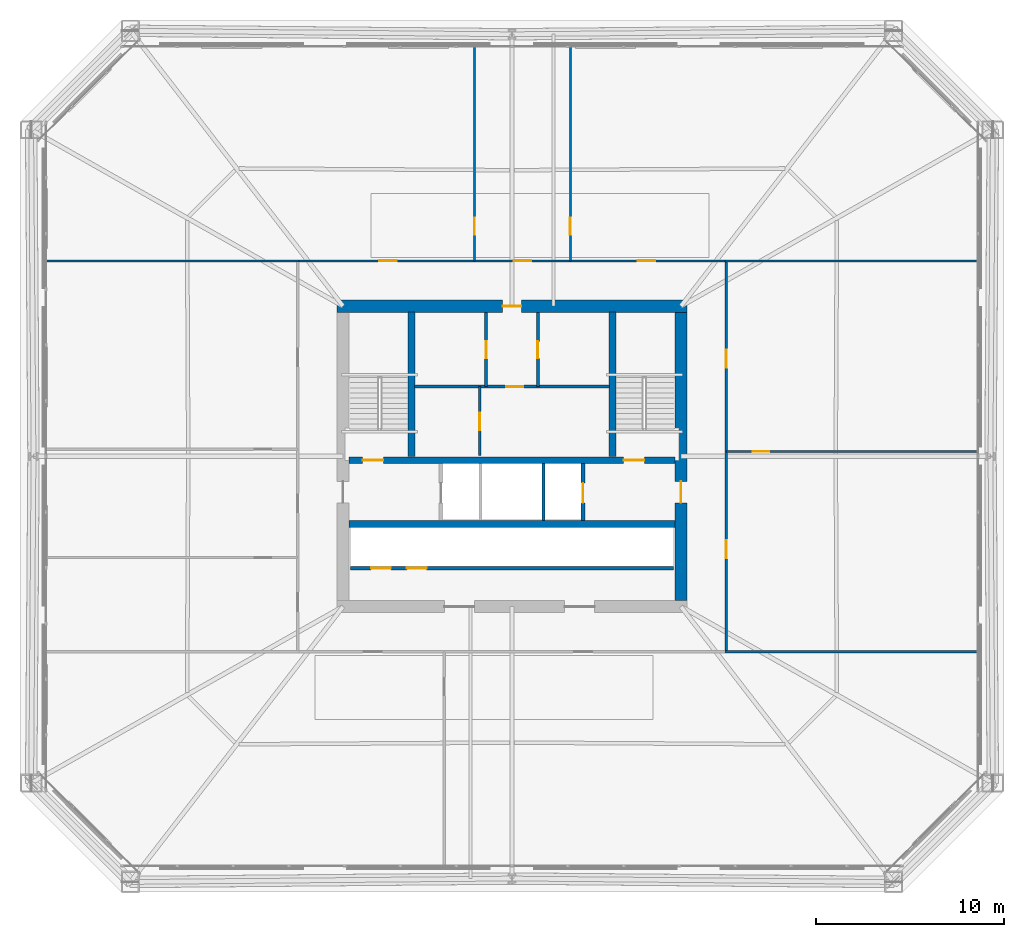
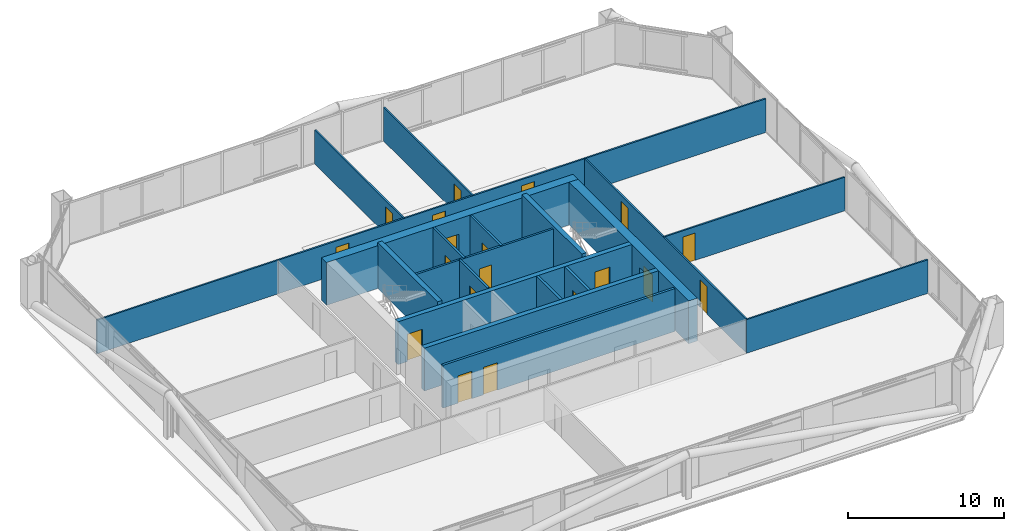
# One storey, part 46 of 50: 21 walls, 19 doors, 19 openings.
"""IFC4 building model written with IfcOpenShell, lengths in metres."""

from ifc_helpers import new_model, si_unit, direction, frame, frame_2d, origin, place, context, subcontext, project, spatial, rectangle, extrude, material, layer, layer_set, type_object, element, fill, save


model = new_model("IFC4")

# Units and contexts
model_context = context("Model", 3, precision=1e-05, world=origin(), true_north=direction((0.0, 1.0)))
body_context = subcontext(model_context, "Body", "Model", "MODEL_VIEW")
ifc_project = project(units=[si_unit("LENGTHUNIT", "METRE"), si_unit("AREAUNIT", "SQUARE_METRE"), si_unit("VOLUMEUNIT", "CUBIC_METRE"), si_unit("PLANEANGLEUNIT", "RADIAN"), si_unit("MASSUNIT", "GRAM", prefix="KILO")], contexts=[model_context])

# Site, building, storey
site_placement = place(None, origin())
site = spatial("IfcSite", under=ifc_project, at=site_placement, CompositionType="ELEMENT")
building_placement = place(site_placement, origin())
building = spatial("IfcBuilding", under=site, at=building_placement, Name="Caelvoria Tower", CompositionType="ELEMENT")
storey_placement = place(building_placement, frame((0.0, 0.0, 71.199951171875)))
storey = spatial("IfcBuildingStorey", under=building, at=storey_placement, Name="L18", CompositionType="ELEMENT", Elevation=71.199951171875)

# Wall, openings, doors
ifc_material_1 = material(Name="Concrete C50/60", Category="concrete")
ifc_layer_1 = layer(ifc_material_1, 0.35009765625, Name="Concrete C50/60")
ifc_layer_set_1 = layer_set([ifc_layer_1], Name="Core Internal Shear Wall 350 - Concrete C50/60")
wall_type_1 = type_object("IfcWallType", Name="Core Internal Shear Wall 350", PredefinedType="SHEAR", material=ifc_layer_set_1)
wall_1_placement = place(storey_placement, frame((37.324951171875, 31.800048828125, 0.0), z_axis=(0.0, 0.0, 1.0), x_axis=(1.0, 0.0, 0.0)))
wall_1 = element("IfcWall", 1, at=wall_1_placement, inside=storey, type_object=wall_type_1, Name="Core Shear Wall L18 M1", PredefinedType="SHEAR", context=body_context, shape_type="SweptSolid", body=[
    extrude(rectangle(XDim=17.35009765625, YDim=0.35009765625, at=frame_2d((8.675048828125, 0.0))), origin(), (0.0, 0.0, 1.0), 3.360107421875),
])
opening_1_placement = place(wall_1_placement, frame((0.72509765625, 0.0, 0.0)))
opening_1 = element("IfcOpeningElement", 2, at=opening_1_placement, cuts=wall_1, Name="Opening ID-01", PredefinedType="OPENING", context=body_context, shape_type="SweptSolid", body=[
    extrude(rectangle(XDim=1.10009765625, YDim=2.14990234375, at=frame_2d((0.550048828125, 1.074951171875))), frame((0.0, 0.18505859375, 0.0), z_axis=(0.0, -1.0, 0.0), x_axis=(1.0, 0.0, 0.0)), (0.0, 0.0, 1.0), 0.3701171875),
])
opening_2_placement = place(wall_1_placement, frame((14.625, 0.0, 0.0)))
opening_2 = element("IfcOpeningElement", 3, at=opening_2_placement, cuts=wall_1, Name="Opening ID-01", PredefinedType="OPENING", context=body_context, shape_type="SweptSolid", body=[
    extrude(rectangle(XDim=1.10009765625, YDim=2.14990234375, at=frame_2d((0.550048828125, 1.074951171875))), frame((0.0, 0.18505859375, 0.0), z_axis=(0.0, -1.0, 0.0), x_axis=(1.0, 0.0, 0.0)), (0.0, 0.0, 1.0), 0.3701171875),
])
ifc_material_2 = material(Name="Painted Hollow Steel Fire Door", Category="steel")
door_type_1 = type_object("IfcDoorType", Name="Fire Door FD90S 1100x2150", OperationType="NOTDEFINED", PredefinedType="DOOR", material=ifc_material_2)
door_1_placement = place(opening_1_placement, origin())
door_1 = element("IfcDoor", 4, at=door_1_placement, inside=storey, type_object=door_type_1, Name="Core Door DR-L18-ST1", OperationType="SINGLE_SWING_LEFT", OverallHeight=2.14990234375, OverallWidth=1.10009765625, PredefinedType="DOOR", context=body_context, shape_type="SweptSolid", body=[
    extrude(rectangle(XDim=1.10009765625, YDim=2.14990234375, at=frame_2d((0.550048828125, 1.074951171875))), frame((0.0, 0.02490234375, 0.0), z_axis=(0.0, -1.0, 0.0), x_axis=(1.0, 0.0, 0.0)), (0.0, 0.0, 1.0), 0.050048828125),
])
fill(opening_1, door_1)
door_2_placement = place(opening_2_placement, origin())
door_2 = element("IfcDoor", 5, at=door_2_placement, inside=storey, type_object=door_type_1, Name="Core Door DR-L18-ST2", OperationType="SINGLE_SWING_RIGHT", OverallHeight=2.14990234375, OverallWidth=1.10009765625, PredefinedType="DOOR", context=body_context, shape_type="SweptSolid", body=[
    extrude(rectangle(XDim=1.10009765625, YDim=2.14990234375, at=frame_2d((0.550048828125, 1.074951171875))), frame((0.0, 0.02490234375, 0.0), z_axis=(0.0, -1.0, 0.0), x_axis=(1.0, 0.0, 0.0)), (0.0, 0.0, 1.0), 0.050048828125),
])
fill(opening_2, door_2)

# Walls
wall_2_placement = place(storey_placement, frame((37.324951171875, 28.39990234375, 0.0), z_axis=(0.0, 0.0, 1.0), x_axis=(1.0, 0.0, 0.0)))
element("IfcWall", 6, at=wall_2_placement, inside=storey, type_object=wall_type_1, Name="Core Shear Wall L18 M2", PredefinedType="SHEAR", context=body_context, shape_type="SweptSolid", body=[
    extrude(rectangle(XDim=17.35009765625, YDim=0.35009765625, at=frame_2d((8.675048828125, 0.0))), origin(), (0.0, 0.0, 1.0), 3.360107421875),
])
for number, where, z_axis, x_axis, name in (
    (7, (40.64990234375, 32.0, 0.0), (0.0, 0.0, 1.0), (0.0, 1.0, 0.0), "Interior Partition IW-L18-ST1E"),
    (8, (51.35009765625, 32.0, 0.0), (0.0, 0.0, 1.0), (0.0, 1.0, 0.0), "Interior Partition IW-L18-ST2W"),
):
    element("IfcWall", number, at=place(storey_placement, frame(where, z_axis=z_axis, x_axis=x_axis)), inside=storey, type_object=wall_type_1, Name=name, PredefinedType="SHEAR", context=body_context, shape_type="SweptSolid", body=[
        extrude(rectangle(XDim=7.699951171875, YDim=0.35009765625, at=frame_2d((3.85009765625, 0.0))), origin(), (0.0, 0.0, 1.0), 3.60009765625),
    ])

# Wall, opening, door
ifc_material_3 = material(Name="Double Gypsum Board on Steel Stud", Category="steel")
ifc_layer_2 = layer(ifc_material_3, 0.14990234375, Name="Double Gypsum Board on Steel Stud")
ifc_layer_set_2 = layer_set([ifc_layer_2], Name="Core Service Acoustic Partition Wall 150 - Double Gypsum Board on Steel Stud")
wall_type_2 = type_object("IfcWallType", Name="Core Service Acoustic Partition Wall 150", PredefinedType="PARTITIONING", material=ifc_layer_set_2)
wall_3_placement = place(storey_placement, frame((44.6201171875, 35.719970703125, 0.0), z_axis=(0.0, 0.0, 1.0), x_axis=(0.0, 1.0, 0.0)))
wall_3 = element("IfcWall", 9, at=wall_3_placement, inside=storey, type_object=wall_type_2, Name="Interior Partition IW-L18-C0L", PredefinedType="PARTITIONING", context=body_context, shape_type="SweptSolid", body=[
    extrude(rectangle(XDim=3.929931640625, YDim=0.14990234375, at=frame_2d((1.96484375, 0.0))), origin(), (0.0, 0.0, 1.0), 3.360107421875),
])
opening_3_placement = place(wall_3_placement, frame((1.5, 0.0, 0.0)))
opening_3 = element("IfcOpeningElement", 10, at=opening_3_placement, cuts=wall_3, Name="Opening ID-06", PredefinedType="OPENING", context=body_context, shape_type="SweptSolid", body=[
    extrude(rectangle(XDim=0.89990234375, YDim=2.14990234375, at=frame_2d((0.449951171875, 1.074951171875))), frame((0.0, 0.0849609375, 0.0), z_axis=(0.0, -1.0, 0.0), x_axis=(1.0, 0.0, 0.0)), (0.0, 0.0, 1.0), 0.169921875),
])
ifc_material_4 = material(Name="Engineered Andean Oak Veneer Door", Category="wood")
door_type_2 = type_object("IfcDoorType", Name="Interior Timber Door 900x2150", OperationType="NOTDEFINED", PredefinedType="DOOR", material=ifc_material_4)
door_3_placement = place(opening_3_placement, origin())
door_3 = element("IfcDoor", 11, at=door_3_placement, inside=storey, type_object=door_type_2, Name="Interior Door DR-L18-C01", OperationType="SINGLE_SWING_LEFT", OverallHeight=2.14990234375, OverallWidth=0.89990234375, PredefinedType="DOOR", context=body_context, shape_type="SweptSolid", body=[
    extrude(rectangle(XDim=0.89990234375, YDim=2.14990234375, at=frame_2d((0.449951171875, 1.074951171875))), frame((0.0, 0.02490234375, 0.0), z_axis=(0.0, -1.0, 0.0), x_axis=(1.0, 0.0, 0.0)), (0.0, 0.0, 1.0), 0.050048828125),
])
fill(opening_3, door_3)

wall_4_placement = place(storey_placement, frame((47.3798828125, 35.719970703125, 0.0), z_axis=(0.0, 0.0, 1.0), x_axis=(0.0, 1.0, 0.0)))
wall_4 = element("IfcWall", 12, at=wall_4_placement, inside=storey, type_object=wall_type_2, Name="Interior Partition IW-L18-C0R", PredefinedType="PARTITIONING", context=body_context, shape_type="SweptSolid", body=[
    extrude(rectangle(XDim=3.929931640625, YDim=0.14990234375, at=frame_2d((1.96484375, 0.0))), origin(), (0.0, 0.0, 1.0), 3.360107421875),
])
opening_4_placement = place(wall_4_placement, frame((1.5, 0.0, 0.0)))
opening_4 = element("IfcOpeningElement", 13, at=opening_4_placement, cuts=wall_4, Name="Opening ID-06", PredefinedType="OPENING", context=body_context, shape_type="SweptSolid", body=[
    extrude(rectangle(XDim=0.89990234375, YDim=2.14990234375, at=frame_2d((0.449951171875, 1.074951171875))), frame((0.0, 0.0849609375, 0.0), z_axis=(0.0, -1.0, 0.0), x_axis=(1.0, 0.0, 0.0)), (0.0, 0.0, 1.0), 0.169921875),
])
door_4_placement = place(opening_4_placement, origin())
door_4 = element("IfcDoor", 14, at=door_4_placement, inside=storey, type_object=door_type_2, Name="Interior Door DR-L18-C02", OperationType="SINGLE_SWING_RIGHT", OverallHeight=2.14990234375, OverallWidth=0.89990234375, PredefinedType="DOOR", context=body_context, shape_type="SweptSolid", body=[
    extrude(rectangle(XDim=0.89990234375, YDim=2.14990234375, at=frame_2d((0.449951171875, 1.074951171875))), frame((0.0, 0.02490234375, 0.0), z_axis=(0.0, -1.0, 0.0), x_axis=(1.0, 0.0, 0.0)), (0.0, 0.0, 1.0), 0.050048828125),
])
fill(opening_4, door_4)

wall_5_placement = place(storey_placement, frame((44.280029296875, 32.050048828125, 0.0), z_axis=(0.0, 0.0, 1.0), x_axis=(0.0, 1.0, 0.0)))
wall_5 = element("IfcWall", 15, at=wall_5_placement, inside=storey, type_object=wall_type_2, Name="Interior Partition IW-L18-C0M", PredefinedType="PARTITIONING", context=body_context, shape_type="SweptSolid", body=[
    extrude(rectangle(XDim=3.669921875, YDim=0.14990234375, at=frame_2d((1.8349609375, 0.0))), origin(), (0.0, 0.0, 1.0), 3.360107421875),
])
opening_5_placement = place(wall_5_placement, frame((1.35009765625, 0.0, 0.0)))
opening_5 = element("IfcOpeningElement", 16, at=opening_5_placement, cuts=wall_5, Name="Opening ID-07", PredefinedType="OPENING", context=body_context, shape_type="SweptSolid", body=[
    extrude(rectangle(XDim=0.919921875, YDim=2.14990234375, at=frame_2d((0.4599609375, 1.074951171875))), frame((0.0, 0.0849609375, 0.0), z_axis=(0.0, -1.0, 0.0), x_axis=(1.0, 0.0, 0.0)), (0.0, 0.0, 1.0), 0.169921875),
])
ifc_material_5 = material(Name="Engineered Andean Oak Accessible Door", Category="wood")
door_type_3 = type_object("IfcDoorType", Name="Accessible WC Door 950x2150", OperationType="NOTDEFINED", PredefinedType="DOOR", material=ifc_material_5)
door_5_placement = place(opening_5_placement, origin())
door_5 = element("IfcDoor", 17, at=door_5_placement, inside=storey, type_object=door_type_3, Name="Interior Door DR-L18-C05", OperationType="SINGLE_SWING_LEFT", OverallHeight=2.14990234375, OverallWidth=0.919921875, PredefinedType="DOOR", context=body_context, shape_type="SweptSolid", body=[
    extrude(rectangle(XDim=0.919921875, YDim=2.14990234375, at=frame_2d((0.4599609375, 1.074951171875))), frame((0.0, 0.02490234375, 0.0), z_axis=(0.0, -1.0, 0.0), x_axis=(1.0, 0.0, 0.0)), (0.0, 0.0, 1.0), 0.050048828125),
])
fill(opening_5, door_5)

wall_6_placement = place(storey_placement, frame((40.800048828125, 35.719970703125, 0.0), z_axis=(0.0, 0.0, 1.0), x_axis=(1.0, 0.0, 0.0)))
wall_6 = element("IfcWall", 18, at=wall_6_placement, inside=storey, type_object=wall_type_2, Name="Interior Partition IW-L18-C0H", PredefinedType="PARTITIONING", context=body_context, shape_type="SweptSolid", body=[
    extrude(rectangle(XDim=10.39990234375, YDim=0.14990234375, at=frame_2d((5.199951171875, 0.0))), origin(), (0.0, 0.0, 1.0), 3.360107421875),
])
opening_6_placement = place(wall_6_placement, frame((4.89990234375, 0.0, 0.0)))
opening_6 = element("IfcOpeningElement", 19, at=opening_6_placement, cuts=wall_6, Name="Opening ID-04", PredefinedType="OPENING", context=body_context, shape_type="SweptSolid", body=[
    extrude(rectangle(XDim=0.89990234375, YDim=2.14990234375, at=frame_2d((0.449951171875, 1.074951171875))), frame((0.0, 0.0849609375, 0.0), z_axis=(0.0, -1.0, 0.0), x_axis=(1.0, 0.0, 0.0)), (0.0, 0.0, 1.0), 0.169921875),
])
ifc_material_6 = material(Name="Acoustic Timber Fire Door", Category="wood")
door_type_4 = type_object("IfcDoorType", Name="Fire Door FD30S 900x2150", OperationType="NOTDEFINED", PredefinedType="DOOR", material=ifc_material_6)
door_6_placement = place(opening_6_placement, origin())
door_6 = element("IfcDoor", 20, at=door_6_placement, inside=storey, type_object=door_type_4, Name="Interior Door DR-L18-C04", OperationType="SINGLE_SWING_RIGHT", OverallHeight=2.14990234375, OverallWidth=0.89990234375, PredefinedType="DOOR", context=body_context, shape_type="SweptSolid", body=[
    extrude(rectangle(XDim=0.89990234375, YDim=2.14990234375, at=frame_2d((0.449951171875, 1.074951171875))), frame((0.0, 0.02490234375, 0.0), z_axis=(0.0, -1.0, 0.0), x_axis=(1.0, 0.0, 0.0)), (0.0, 0.0, 1.0), 0.050048828125),
])
fill(opening_6, door_6)

# Wall
ifc_material_7 = material(Name="Concrete Block and Fireboard Assembly", Category="concrete")
ifc_layer_3 = layer(ifc_material_7, 0.179931640625, Name="Concrete Block and Fireboard Assembly")
ifc_layer_set_3 = layer_set([ifc_layer_3], Name="Fire-Rated Hoistway Partition Wall 180 - Concrete Block and Fireboard Assembly")
wall_type_3 = type_object("IfcWallType", Name="Fire-Rated Hoistway Partition Wall 180", PredefinedType="PARTITIONING", material=ifc_layer_set_3)
wall_7_placement = place(storey_placement, frame((47.679931640625, 28.580078125, 0.0), z_axis=(0.0, 0.0, 1.0), x_axis=(0.0, 1.0, 0.0)))
element("IfcWall", 21, at=wall_7_placement, inside=storey, type_object=wall_type_3, Name="Interior Partition IW-L18-SV1E", PredefinedType="PARTITIONING", context=body_context, shape_type="SweptSolid", body=[
    extrude(rectangle(XDim=3.0400390625, YDim=0.179931640625, at=frame_2d((1.52001953125, 0.0))), origin(), (0.0, 0.0, 1.0), 3.360107421875),
])

# Wall, openings, doors
wall_8_placement = place(storey_placement, frame((37.39990234375, 26.050048828125, 0.0), z_axis=(0.0, 0.0, 1.0), x_axis=(1.0, 0.0, 0.0)))
wall_8 = element("IfcWall", 22, at=wall_8_placement, inside=storey, type_object=wall_type_3, Name="Interior Partition IW-L18-LFRONT", PredefinedType="PARTITIONING", context=body_context, shape_type="SweptSolid", body=[
    extrude(rectangle(XDim=17.2001953125, YDim=0.179931640625, at=frame_2d((8.60009765625, 0.0))), origin(), (0.0, 0.0, 1.0), 3.360107421875),
])
opening_7_placement = place(wall_8_placement, frame((1.10009765625, 0.0, 0.0)))
opening_7 = element("IfcOpeningElement", 23, at=opening_7_placement, cuts=wall_8, Name="Opening LD-01", PredefinedType="OPENING", context=body_context, shape_type="SweptSolid", body=[
    extrude(rectangle(XDim=1.050048828125, YDim=2.14990234375, at=frame_2d((0.52490234375, 1.074951171875))), frame((0.0, 0.099853515625, 0.0), z_axis=(0.0, -1.0, 0.0), x_axis=(1.0, 0.0, 0.0)), (0.0, 0.0, 1.0), 0.199951171875),
])
opening_8_placement = place(wall_8_placement, frame((3.0, 0.0, 0.0)))
opening_8 = element("IfcOpeningElement", 24, at=opening_8_placement, cuts=wall_8, Name="Opening LD-01", PredefinedType="OPENING", context=body_context, shape_type="SweptSolid", body=[
    extrude(rectangle(XDim=1.050048828125, YDim=2.14990234375, at=frame_2d((0.52490234375, 1.074951171875))), frame((0.0, 0.099853515625, 0.0), z_axis=(0.0, -1.0, 0.0), x_axis=(1.0, 0.0, 0.0)), (0.0, 0.0, 1.0), 0.199951171875),
])
ifc_material_8 = material(Name="Brushed Bronze Stainless Sliding Landing Door", Category="aluminium")
door_type_5 = type_object("IfcDoorType", Name="Lift Landing Sliding Door 1100x2150", OperationType="NOTDEFINED", PredefinedType="DOOR", material=ifc_material_8)
door_7_placement = place(opening_7_placement, origin())
door_7 = element("IfcDoor", 25, at=door_7_placement, inside=storey, type_object=door_type_5, Name="Interior Door LD-L18-PL1", OperationType="SLIDING_TO_LEFT", OverallHeight=2.14990234375, OverallWidth=1.050048828125, PredefinedType="DOOR", context=body_context, shape_type="SweptSolid", body=[
    extrude(rectangle(XDim=1.050048828125, YDim=2.14990234375, at=frame_2d((0.52490234375, 1.074951171875))), frame((0.0, 0.02490234375, 0.0), z_axis=(0.0, -1.0, 0.0), x_axis=(1.0, 0.0, 0.0)), (0.0, 0.0, 1.0), 0.050048828125),
])
fill(opening_7, door_7)
door_8_placement = place(opening_8_placement, origin())
door_8 = element("IfcDoor", 26, at=door_8_placement, inside=storey, type_object=door_type_5, Name="Interior Door LD-L18-PL2", OperationType="SLIDING_TO_RIGHT", OverallHeight=2.14990234375, OverallWidth=1.050048828125, PredefinedType="DOOR", context=body_context, shape_type="SweptSolid", body=[
    extrude(rectangle(XDim=1.050048828125, YDim=2.14990234375, at=frame_2d((0.52490234375, 1.074951171875))), frame((0.0, 0.02490234375, 0.0), z_axis=(0.0, -1.0, 0.0), x_axis=(1.0, 0.0, 0.0)), (0.0, 0.0, 1.0), 0.050048828125),
])
fill(opening_8, door_8)

# Wall, opening, door
ifc_layer_4 = layer(ifc_material_7, 0.199951171875, Name="Concrete Block and Fireboard Assembly")
ifc_layer_set_4 = layer_set([ifc_layer_4], Name="Fire-Rated Shaft and Core Partition Wall 200 - Concrete Block and Fireboard Assembly")
wall_type_4 = type_object("IfcWallType", Name="Fire-Rated Shaft and Core Partition Wall 200", PredefinedType="PARTITIONING", material=ifc_layer_set_4)
wall_9_placement = place(storey_placement, frame((49.780029296875, 28.580078125, 0.0), z_axis=(0.0, 0.0, 1.0), x_axis=(0.0, 1.0, 0.0)))
wall_9 = element("IfcWall", 27, at=wall_9_placement, inside=storey, type_object=wall_type_4, Name="Interior Partition IW-L18-LF2E", PredefinedType="PARTITIONING", context=body_context, shape_type="SweptSolid", body=[
    extrude(rectangle(XDim=3.0400390625, YDim=0.199951171875, at=frame_2d((1.52001953125, 0.0))), origin(), (0.0, 0.0, 1.0), 3.360107421875),
])
opening_9_placement = place(wall_9_placement, frame((0.949951171875, 0.0, 0.0)))
opening_9 = element("IfcOpeningElement", 28, at=opening_9_placement, cuts=wall_9, Name="Opening LD-01", PredefinedType="OPENING", context=body_context, shape_type="SweptSolid", body=[
    extrude(rectangle(XDim=1.050048828125, YDim=2.14990234375, at=frame_2d((0.52490234375, 1.074951171875))), frame((0.0, 0.10986328125, 0.0), z_axis=(0.0, -1.0, 0.0), x_axis=(1.0, 0.0, 0.0)), (0.0, 0.0, 1.0), 0.219970703125),
])
door_9_placement = place(opening_9_placement, origin())
door_9 = element("IfcDoor", 29, at=door_9_placement, inside=storey, type_object=door_type_5, Name="Interior Door LD-L18-LF2", OperationType="SLIDING_TO_RIGHT", OverallHeight=2.14990234375, OverallWidth=1.050048828125, PredefinedType="DOOR", context=body_context, shape_type="SweptSolid", body=[
    extrude(rectangle(XDim=1.050048828125, YDim=2.14990234375, at=frame_2d((0.52490234375, 1.074951171875))), frame((0.0, 0.02490234375, 0.0), z_axis=(0.0, -1.0, 0.0), x_axis=(1.0, 0.0, 0.0)), (0.0, 0.0, 1.0), 0.050048828125),
])
fill(opening_9, door_9)

ifc_material_9 = material(Name="Concrete C60/75", Category="concrete")
ifc_layer_5 = layer(ifc_material_9, 0.64990234375, Name="Concrete C60/75")
ifc_layer_set_5 = layer_set([ifc_layer_5], Name="Lower Core Shear Wall 650 - Concrete C60/75")
wall_type_5 = type_object("IfcWallType", Name="Lower Core Shear Wall 650", PredefinedType="SHEAR", material=ifc_layer_set_5)
wall_10_placement = place(storey_placement, frame((36.675048828125, 40.0, 0.0), z_axis=(0.0, 0.0, 1.0), x_axis=(1.0, 0.0, 0.0)))
wall_10 = element("IfcWall", 30, at=wall_10_placement, inside=storey, type_object=wall_type_5, Name="Core Shear Wall L18 N", PredefinedType="SHEAR", context=body_context, shape_type="SweptSolid", body=[
    extrude(rectangle(XDim=18.64990234375, YDim=0.64990234375, at=frame_2d((9.324951171875, 0.0))), origin(), (0.0, 0.0, 1.0), 3.360107421875),
])
opening_10_placement = place(wall_10_placement, frame((8.824951171875, 0.0, 0.0)))
opening_10 = element("IfcOpeningElement", 31, at=opening_10_placement, cuts=wall_10, Name="Opening ID-03", PredefinedType="OPENING", context=body_context, shape_type="SweptSolid", body=[
    extrude(rectangle(XDim=1.0, YDim=2.14990234375, at=frame_2d((0.5, 1.074951171875))), frame((0.0, 0.3349609375, 0.0), z_axis=(0.0, -1.0, 0.0), x_axis=(1.0, 0.0, 0.0)), (0.0, 0.0, 1.0), 0.669921875),
])
door_type_6 = type_object("IfcDoorType", Name="Fire Door FD60S 1000x2150", OperationType="NOTDEFINED", PredefinedType="DOOR", material=ifc_material_2)
door_10_placement = place(opening_10_placement, origin())
door_10 = element("IfcDoor", 32, at=door_10_placement, inside=storey, type_object=door_type_6, Name="Core Door DR-L18-WC-MAIN", OperationType="SINGLE_SWING_RIGHT", OverallHeight=2.14990234375, OverallWidth=1.0, PredefinedType="DOOR", context=body_context, shape_type="SweptSolid", body=[
    extrude(rectangle(XDim=1.0, YDim=2.14990234375, at=frame_2d((0.5, 1.074951171875))), frame((0.0, 0.02490234375, 0.0), z_axis=(0.0, -1.0, 0.0), x_axis=(1.0, 0.0, 0.0)), (0.0, 0.0, 1.0), 0.050048828125),
])
fill(opening_10, door_10)

wall_11_placement = place(storey_placement, frame((55.0, 24.324951171875, 0.0), z_axis=(0.0, 0.0, 1.0), x_axis=(0.0, 1.0, 0.0)))
wall_11 = element("IfcWall", 33, at=wall_11_placement, inside=storey, type_object=wall_type_5, Name="Core Shear Wall L18 E", PredefinedType="SHEAR", context=body_context, shape_type="SweptSolid", body=[
    extrude(rectangle(XDim=15.35009765625, YDim=0.64990234375, at=frame_2d((7.675048828125, 0.0))), origin(), (0.0, 0.0, 1.0), 3.360107421875),
])
opening_11_placement = place(wall_11_placement, frame((5.199951171875, 0.0, 0.0)))
opening_11 = element("IfcOpeningElement", 34, at=opening_11_placement, cuts=wall_11, Name="Opening ID-02", PredefinedType="OPENING", context=body_context, shape_type="SweptSolid", body=[
    extrude(rectangle(XDim=1.14990234375, YDim=2.14990234375, at=frame_2d((0.574951171875, 1.074951171875))), frame((0.0, 0.3349609375, 0.0), z_axis=(0.0, -1.0, 0.0), x_axis=(1.0, 0.0, 0.0)), (0.0, 0.0, 1.0), 0.669921875),
])
door_type_7 = type_object("IfcDoorType", Name="Fire Door FD60S 1150x2150", OperationType="NOTDEFINED", PredefinedType="DOOR", material=ifc_material_2)
door_11_placement = place(opening_11_placement, origin())
door_11 = element("IfcDoor", 35, at=door_11_placement, inside=storey, type_object=door_type_7, Name="Core Door DR-L18-FFLE-OUT", OperationType="SINGLE_SWING_RIGHT", OverallHeight=2.14990234375, OverallWidth=1.14990234375, PredefinedType="DOOR", context=body_context, shape_type="SweptSolid", body=[
    extrude(rectangle(XDim=1.14990234375, YDim=2.14990234375, at=frame_2d((0.574951171875, 1.074951171875))), frame((0.0, 0.02490234375, 0.0), z_axis=(0.0, -1.0, 0.0), x_axis=(1.0, 0.0, 0.0)), (0.0, 0.0, 1.0), 0.050048828125),
])
fill(opening_11, door_11)

ifc_material_10 = material(Name="Acoustic Gypsum Board on Light-Gauge Stud", Category="gypsum")
ifc_layer_6 = layer(ifc_material_10, 0.1201171875, Name="Acoustic Gypsum Board on Light-Gauge Stud")
ifc_layer_set_6 = layer_set([ifc_layer_6], Name="Tenant Suite Acoustic Partition Wall 120 - Acoustic Gypsum Board on Light-Gauge Stud")
wall_type_6 = type_object("IfcWallType", Name="Tenant Suite Acoustic Partition Wall 120", PredefinedType="PARTITIONING", material=ifc_layer_set_6)
wall_12_placement = place(storey_placement, frame((44.004150390625, 42.409912109375, 0.0), z_axis=(0.0, 0.0, 1.0), x_axis=(0.0, 1.0, 0.0)))
wall_12 = element("IfcWall", 36, at=wall_12_placement, inside=storey, type_object=wall_type_6, Name="Interior Partition IW-L18-ND-00-0", PredefinedType="PARTITIONING", context=body_context, shape_type="SweptSolid", body=[
    extrude(rectangle(XDim=11.41015625, YDim=0.1201171875, at=frame_2d((5.705078125, 0.0))), origin(), (0.0, 0.0, 1.0), 2.64013671875),
])
opening_12_placement = place(wall_12_placement, frame((1.39990234375, 0.0, 0.0)))
opening_12 = element("IfcOpeningElement", 37, at=opening_12_placement, cuts=wall_12, Name="Opening ID-06", PredefinedType="OPENING", context=body_context, shape_type="SweptSolid", body=[
    extrude(rectangle(XDim=0.89990234375, YDim=2.14990234375, at=frame_2d((0.449951171875, 1.074951171875))), frame((0.0, 0.070068359375, 0.0), z_axis=(0.0, -1.0, 0.0), x_axis=(1.0, 0.0, 0.0)), (0.0, 0.0, 1.0), 0.14013671875),
])
door_12_placement = place(opening_12_placement, origin())
door_12 = element("IfcDoor", 38, at=door_12_placement, inside=storey, type_object=door_type_2, Name="Interior Door DR-L18-NM-00-0", OperationType="SINGLE_SWING_RIGHT", OverallHeight=2.14990234375, OverallWidth=0.89990234375, PredefinedType="DOOR", context=body_context, shape_type="SweptSolid", body=[
    extrude(rectangle(XDim=0.89990234375, YDim=2.14990234375, at=frame_2d((0.449951171875, 1.074951171875))), frame((0.0, 0.02490234375, 0.0), z_axis=(0.0, -1.0, 0.0), x_axis=(1.0, 0.0, 0.0)), (0.0, 0.0, 1.0), 0.050048828125),
])
fill(opening_12, door_12)

wall_13_placement = place(storey_placement, frame((49.109619140625, 42.409912109375, 0.0), z_axis=(0.0, 0.0, 1.0), x_axis=(0.0, 1.0, 0.0)))
wall_13 = element("IfcWall", 39, at=wall_13_placement, inside=storey, type_object=wall_type_6, Name="Interior Partition IW-L18-ND-01-0", PredefinedType="PARTITIONING", context=body_context, shape_type="SweptSolid", body=[
    extrude(rectangle(XDim=11.41015625, YDim=0.1201171875, at=frame_2d((5.705078125, 0.0))), origin(), (0.0, 0.0, 1.0), 2.64013671875),
])
opening_13_placement = place(wall_13_placement, frame((1.39990234375, 0.0, 0.0)))
opening_13 = element("IfcOpeningElement", 40, at=opening_13_placement, cuts=wall_13, Name="Opening ID-06", PredefinedType="OPENING", context=body_context, shape_type="SweptSolid", body=[
    extrude(rectangle(XDim=0.89990234375, YDim=2.14990234375, at=frame_2d((0.449951171875, 1.074951171875))), frame((0.0, 0.070068359375, 0.0), z_axis=(0.0, -1.0, 0.0), x_axis=(1.0, 0.0, 0.0)), (0.0, 0.0, 1.0), 0.14013671875),
])
door_13_placement = place(opening_13_placement, origin())
door_13 = element("IfcDoor", 41, at=door_13_placement, inside=storey, type_object=door_type_2, Name="Interior Door DR-L18-NM-01-0", OperationType="SINGLE_SWING_LEFT", OverallHeight=2.14990234375, OverallWidth=0.89990234375, PredefinedType="DOOR", context=body_context, shape_type="SweptSolid", body=[
    extrude(rectangle(XDim=0.89990234375, YDim=2.14990234375, at=frame_2d((0.449951171875, 1.074951171875))), frame((0.0, 0.02490234375, 0.0), z_axis=(0.0, -1.0, 0.0), x_axis=(1.0, 0.0, 0.0)), (0.0, 0.0, 1.0), 0.050048828125),
])
fill(opening_13, door_13)

# Wall, openings, doors
wall_14_placement = place(storey_placement, frame((34.64990234375, 42.409912109375, 0.0), z_axis=(0.0, 0.0, 1.0), x_axis=(1.0, 0.0, 0.0)))
wall_14 = element("IfcWall", 42, at=wall_14_placement, inside=storey, type_object=wall_type_6, Name="Interior Partition IW-L18-NCW-0", PredefinedType="PARTITIONING", context=body_context, shape_type="SweptSolid", body=[
    extrude(rectangle(XDim=22.7001953125, YDim=0.1201171875, at=frame_2d((11.35009765625, 0.0))), origin(), (0.0, 0.0, 1.0), 2.64013671875),
])
opening_14_placement = place(wall_14_placement, frame((4.27197265625, 0.0, 0.0)))
opening_14 = element("IfcOpeningElement", 43, at=opening_14_placement, cuts=wall_14, Name="Opening ID-05", PredefinedType="OPENING", context=body_context, shape_type="SweptSolid", body=[
    extrude(rectangle(XDim=0.949951171875, YDim=2.14990234375, at=frame_2d((0.47509765625, 1.074951171875))), frame((0.0, 0.070068359375, 0.0), z_axis=(0.0, -1.0, 0.0), x_axis=(1.0, 0.0, 0.0)), (0.0, 0.0, 1.0), 0.14013671875),
])
opening_15_placement = place(wall_14_placement, frame((11.431884765625, 0.0, 0.0)))
opening_15 = element("IfcOpeningElement", 44, at=opening_15_placement, cuts=wall_14, Name="Opening ID-05", PredefinedType="OPENING", context=body_context, shape_type="SweptSolid", body=[
    extrude(rectangle(XDim=0.949951171875, YDim=2.14990234375, at=frame_2d((0.47509765625, 1.074951171875))), frame((0.0, 0.070068359375, 0.0), z_axis=(0.0, -1.0, 0.0), x_axis=(1.0, 0.0, 0.0)), (0.0, 0.0, 1.0), 0.14013671875),
])
opening_16_placement = place(wall_14_placement, frame((18.034912109375, 0.0, 0.0)))
opening_16 = element("IfcOpeningElement", 45, at=opening_16_placement, cuts=wall_14, Name="Opening ID-05", PredefinedType="OPENING", context=body_context, shape_type="SweptSolid", body=[
    extrude(rectangle(XDim=0.949951171875, YDim=2.14990234375, at=frame_2d((0.47509765625, 1.074951171875))), frame((0.0, 0.070068359375, 0.0), z_axis=(0.0, -1.0, 0.0), x_axis=(1.0, 0.0, 0.0)), (0.0, 0.0, 1.0), 0.14013671875),
])
door_type_8 = type_object("IfcDoorType", Name="Interior Timber Door 950x2150", OperationType="NOTDEFINED", PredefinedType="DOOR", material=ifc_material_4)
door_14_placement = place(opening_14_placement, origin())
door_14 = element("IfcDoor", 46, at=door_14_placement, inside=storey, type_object=door_type_8, Name="Interior Door DR-L18-NC-00-0", OperationType="SINGLE_SWING_LEFT", OverallHeight=2.14990234375, OverallWidth=0.949951171875, PredefinedType="DOOR", context=body_context, shape_type="SweptSolid", body=[
    extrude(rectangle(XDim=0.949951171875, YDim=2.14990234375, at=frame_2d((0.47509765625, 1.074951171875))), frame((0.0, 0.02490234375, 0.0), z_axis=(0.0, -1.0, 0.0), x_axis=(1.0, 0.0, 0.0)), (0.0, 0.0, 1.0), 0.050048828125),
])
fill(opening_14, door_14)
door_15_placement = place(opening_15_placement, origin())
door_15 = element("IfcDoor", 47, at=door_15_placement, inside=storey, type_object=door_type_8, Name="Interior Door DR-L18-NC-01-0", OperationType="SINGLE_SWING_RIGHT", OverallHeight=2.14990234375, OverallWidth=0.949951171875, PredefinedType="DOOR", context=body_context, shape_type="SweptSolid", body=[
    extrude(rectangle(XDim=0.949951171875, YDim=2.14990234375, at=frame_2d((0.47509765625, 1.074951171875))), frame((0.0, 0.02490234375, 0.0), z_axis=(0.0, -1.0, 0.0), x_axis=(1.0, 0.0, 0.0)), (0.0, 0.0, 1.0), 0.050048828125),
])
fill(opening_15, door_15)
door_16_placement = place(opening_16_placement, origin())
door_16 = element("IfcDoor", 48, at=door_16_placement, inside=storey, type_object=door_type_8, Name="Interior Door DR-L18-NC-02-0", OperationType="SINGLE_SWING_LEFT", OverallHeight=2.14990234375, OverallWidth=0.949951171875, PredefinedType="DOOR", context=body_context, shape_type="SweptSolid", body=[
    extrude(rectangle(XDim=0.949951171875, YDim=2.14990234375, at=frame_2d((0.47509765625, 1.074951171875))), frame((0.0, 0.02490234375, 0.0), z_axis=(0.0, -1.0, 0.0), x_axis=(1.0, 0.0, 0.0)), (0.0, 0.0, 1.0), 0.050048828125),
])
fill(opening_16, door_16)

# Wall, opening, door
wall_15_placement = place(storey_placement, frame((57.409912109375, 32.26171875, 0.0), z_axis=(0.0, 0.0, 1.0), x_axis=(1.0, 0.0, 0.0)))
wall_15 = element("IfcWall", 49, at=wall_15_placement, inside=storey, type_object=wall_type_6, Name="Interior Partition IW-L18-ED-00-0", PredefinedType="PARTITIONING", context=body_context, shape_type="SweptSolid", body=[
    extrude(rectangle(XDim=13.41015625, YDim=0.1201171875, at=frame_2d((6.705078125, 0.0))), origin(), (0.0, 0.0, 1.0), 2.64013671875),
])
opening_17_placement = place(wall_15_placement, frame((1.39990234375, 0.0, 0.0)))
opening_17 = element("IfcOpeningElement", 50, at=opening_17_placement, cuts=wall_15, Name="Opening ID-06", PredefinedType="OPENING", context=body_context, shape_type="SweptSolid", body=[
    extrude(rectangle(XDim=0.89990234375, YDim=2.14990234375, at=frame_2d((0.449951171875, 1.074951171875))), frame((0.0, 0.070068359375, 0.0), z_axis=(0.0, -1.0, 0.0), x_axis=(1.0, 0.0, 0.0)), (0.0, 0.0, 1.0), 0.14013671875),
])
door_17_placement = place(opening_17_placement, origin())
door_17 = element("IfcDoor", 51, at=door_17_placement, inside=storey, type_object=door_type_2, Name="Interior Door DR-L18-EM-00-0", OperationType="SINGLE_SWING_RIGHT", OverallHeight=2.14990234375, OverallWidth=0.89990234375, PredefinedType="DOOR", context=body_context, shape_type="SweptSolid", body=[
    extrude(rectangle(XDim=0.89990234375, YDim=2.14990234375, at=frame_2d((0.449951171875, 1.074951171875))), frame((0.0, 0.02490234375, 0.0), z_axis=(0.0, -1.0, 0.0), x_axis=(1.0, 0.0, 0.0)), (0.0, 0.0, 1.0), 0.050048828125),
])
fill(opening_17, door_17)

# Wall, openings, doors
wall_16_placement = place(storey_placement, frame((57.409912109375, 21.64990234375, 0.0), z_axis=(0.0, 0.0, 1.0), x_axis=(0.0, 1.0, 0.0)))
wall_16 = element("IfcWall", 52, at=wall_16_placement, inside=storey, type_object=wall_type_6, Name="Interior Partition IW-L18-ECW-0", PredefinedType="PARTITIONING", context=body_context, shape_type="SweptSolid", body=[
    extrude(rectangle(XDim=20.7001953125, YDim=0.1201171875, at=frame_2d((10.35009765625, 0.0))), origin(), (0.0, 0.0, 1.0), 2.64013671875),
])
opening_18_placement = place(wall_16_placement, frame((4.930908203125, 0.0, 0.0)))
opening_18 = element("IfcOpeningElement", 53, at=opening_18_placement, cuts=wall_16, Name="Opening ID-05", PredefinedType="OPENING", context=body_context, shape_type="SweptSolid", body=[
    extrude(rectangle(XDim=0.949951171875, YDim=2.14990234375, at=frame_2d((0.47509765625, 1.074951171875))), frame((0.0, 0.070068359375, 0.0), z_axis=(0.0, -1.0, 0.0), x_axis=(1.0, 0.0, 0.0)), (0.0, 0.0, 1.0), 0.14013671875),
])
opening_19_placement = place(wall_16_placement, frame((15.080810546875, 0.0, 0.0)))
opening_19 = element("IfcOpeningElement", 54, at=opening_19_placement, cuts=wall_16, Name="Opening ID-05", PredefinedType="OPENING", context=body_context, shape_type="SweptSolid", body=[
    extrude(rectangle(XDim=0.949951171875, YDim=2.14990234375, at=frame_2d((0.47509765625, 1.074951171875))), frame((0.0, 0.070068359375, 0.0), z_axis=(0.0, -1.0, 0.0), x_axis=(1.0, 0.0, 0.0)), (0.0, 0.0, 1.0), 0.14013671875),
])
door_18_placement = place(opening_18_placement, origin())
door_18 = element("IfcDoor", 55, at=door_18_placement, inside=storey, type_object=door_type_8, Name="Interior Door DR-L18-EC-00-0", OperationType="SINGLE_SWING_LEFT", OverallHeight=2.14990234375, OverallWidth=0.949951171875, PredefinedType="DOOR", context=body_context, shape_type="SweptSolid", body=[
    extrude(rectangle(XDim=0.949951171875, YDim=2.14990234375, at=frame_2d((0.47509765625, 1.074951171875))), frame((0.0, 0.02490234375, 0.0), z_axis=(0.0, -1.0, 0.0), x_axis=(1.0, 0.0, 0.0)), (0.0, 0.0, 1.0), 0.050048828125),
])
fill(opening_18, door_18)
door_19_placement = place(opening_19_placement, origin())
door_19 = element("IfcDoor", 56, at=door_19_placement, inside=storey, type_object=door_type_8, Name="Interior Door DR-L18-EC-01-0", OperationType="SINGLE_SWING_RIGHT", OverallHeight=2.14990234375, OverallWidth=0.949951171875, PredefinedType="DOOR", context=body_context, shape_type="SweptSolid", body=[
    extrude(rectangle(XDim=0.949951171875, YDim=2.14990234375, at=frame_2d((0.47509765625, 1.074951171875))), frame((0.0, 0.02490234375, 0.0), z_axis=(0.0, -1.0, 0.0), x_axis=(1.0, 0.0, 0.0)), (0.0, 0.0, 1.0), 0.050048828125),
])
fill(opening_19, door_19)

# Walls
for number, where, z_axis, x_axis, name in (
    (57, (57.35009765625, 21.590087890625, 0.0), (0.0, 0.0, 1.0), (1.0, 0.0, 0.0), "Interior Partition IW-L18-BSE-0"),
    (58, (34.64990234375, 42.409912109375, 0.0), (0.0, 0.0, 1.0), (-1.0, 0.0, 0.0), "Interior Partition IW-L18-BNW-0"),
    (59, (57.35009765625, 42.409912109375, 0.0), (0.0, 0.0, 1.0), (1.0, 0.0, 0.0), "Interior Partition IW-L18-BNE-0"),
):
    element("IfcWall", number, at=place(storey_placement, frame(where, z_axis=z_axis, x_axis=x_axis)), inside=storey, type_object=wall_type_6, Name=name, PredefinedType="PARTITIONING", context=body_context, shape_type="SweptSolid", body=[
        extrude(rectangle(XDim=13.469970703125, YDim=0.1201171875, at=frame_2d((6.73486328125, 0.0))), origin(), (0.0, 0.0, 1.0), 2.64013671875),
    ])

save(model, "model.ifc")
